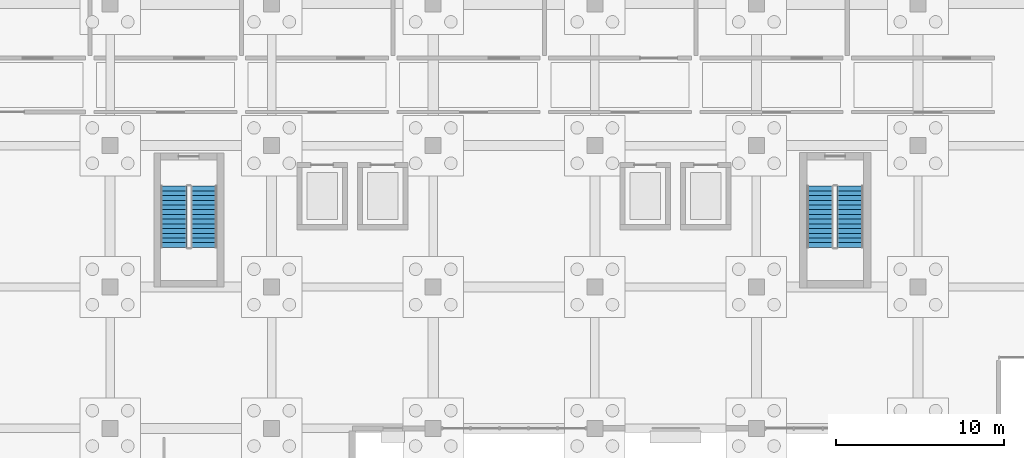
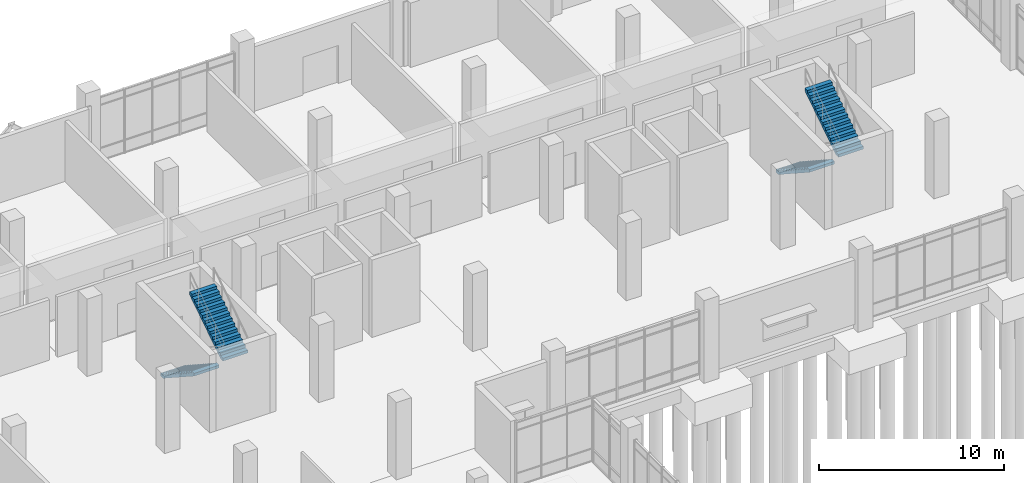
# One storey, part 121 of 136: 4 stair flights, 2 elements without a shape of their own.
"""IFC4 building model written with IfcOpenShell, lengths in metres."""

import ifcopenshell
import ifcopenshell.guid

model = None  # the IFC model being written
_history = None  # IfcOwnerHistory: only IFC2X3 demands one
_inside = {}  # id of a spatial element -> (the spatial element, [elements in it])
_under = {}  # id of a project, library or spatial element -> (it, [spatial elements below it])
_declared = {}  # id of a project -> (the project, [libraries it declares])
_typed = {}  # id of a type object -> (the type object, [elements of that type])
_made_of = {}  # id of a material, layer set ... -> (it, [elements and type objects made of it])


def new_model(schema):
    """Start an empty IFC model of exactly this schema.

    Asked for "IFC4X3", IfcOpenShell would pick the latest addendum, in which some entities
    have other attributes; the version numbers below select the first issue.
    IFC2X3 requires an IfcOwnerHistory on every rooted entity: one is made here for all.
    """
    global model, _history
    if schema == "IFC4X3":
        model = ifcopenshell.file(schema_version=(4, 3, 0, 0))
    else:
        model = ifcopenshell.file(schema=schema)
    _inside.clear()
    _under.clear()
    _declared.clear()
    _typed.clear()
    _made_of.clear()
    _history = None
    if model.schema == "IFC2X3":
        org = make("IfcOrganization", Name="unknown")
        user = make(
            "IfcPersonAndOrganization",
            ThePerson=make("IfcPerson", FamilyName="unknown"),
            TheOrganization=org,
        )
        app = make(
            "IfcApplication",
            ApplicationDeveloper=org,
            Version="unknown",
            ApplicationFullName="unknown",
            ApplicationIdentifier="unknown",
        )
        _history = make(
            "IfcOwnerHistory",
            OwningUser=user,
            OwningApplication=app,
            ChangeAction="ADDED",
            CreationDate=0,
        )
    return model


def make(cls, **values):
    """One entity of the class cls with the attributes given. An attribute that is None is left unset."""
    return model.create_entity(
        cls, **{name: value for name, value in values.items() if value is not None}
    )


def rooted(cls, **values):
    """An entity with a GlobalId (a new one), such as an element, a storey or a relation."""
    return make(cls, GlobalId=ifcopenshell.guid.new(), OwnerHistory=_history, **values)


def si_unit(unit_type, name, prefix=None):
    """IfcSIUnit, for example si_unit("LENGTHUNIT", "METRE", prefix="MILLI")."""
    return make("IfcSIUnit", UnitType=unit_type, Prefix=prefix, Name=name)


def assignment(units):
    """IfcUnitAssignment: the units of a project."""
    return None if units is None else make("IfcUnitAssignment", Units=units)


def point(xyz):
    """IfcCartesianPoint."""
    return None if xyz is None else make("IfcCartesianPoint", Coordinates=xyz)


def direction(xyz):
    """IfcDirection."""
    return None if xyz is None else make("IfcDirection", DirectionRatios=xyz)


def frame(location, z_axis=None, x_axis=None):
    """IfcAxis2Placement3D, a coordinate frame: its origin and axes. An axis left out is left unset."""
    return make(
        "IfcAxis2Placement3D",
        Location=point(location),
        Axis=direction(z_axis),
        RefDirection=direction(x_axis),
    )


def origin():
    """The frame at (0, 0, 0) with its axes left unset."""
    return frame((0.0, 0.0, 0.0))


def place(relative_to, where):
    """IfcLocalPlacement: puts the frame where relative to a parent placement (None: the world)."""
    return make(
        "IfcLocalPlacement", PlacementRelTo=relative_to, RelativePlacement=where
    )


def context(
    kind, dimensions, precision=None, world=None, true_north=None, identifier=None
):
    """IfcGeometricRepresentationContext, for example the 3D "Model" context."""
    return make(
        "IfcGeometricRepresentationContext",
        ContextIdentifier=identifier,
        ContextType=kind,
        CoordinateSpaceDimension=dimensions,
        Precision=precision,
        WorldCoordinateSystem=world,
        TrueNorth=true_north,
    )


def subcontext(parent, identifier, kind, view, scale=None):
    """IfcGeometricRepresentationSubContext, for example "Body" below "Model"."""
    return make(
        "IfcGeometricRepresentationSubContext",
        ContextIdentifier=identifier,
        ContextType=kind,
        ParentContext=parent,
        TargetScale=scale,
        TargetView=view,
    )


def project(units=None, contexts=None):
    """IfcProject with its units and contexts."""
    return rooted(
        "IfcProject",
        Name="project",
        RepresentationContexts=contexts,
        UnitsInContext=assignment(units),
    )


def spatial(cls, under=None, at=None, **own):
    """A site, building, storey or space (cls), placed at a placement, below another one or the project."""
    s = rooted(cls, ObjectPlacement=at, **own)
    if under is not None:
        _under.setdefault(under.id(), (under, []))[1].append(s)
    return s


def polyline(points):
    """IfcPolyline through the points."""
    return make("IfcPolyline", Points=[point(p) for p in points])


def outline(outer, holes=None, kind="AREA"):
    """IfcArbitraryClosedProfileDef: a profile drawn as a closed curve; with holes, ...WithVoids."""
    if holes is None:
        return make("IfcArbitraryClosedProfileDef", ProfileType=kind, OuterCurve=outer)
    return make(
        "IfcArbitraryProfileDefWithVoids",
        ProfileType=kind,
        OuterCurve=outer,
        InnerCurves=holes,
    )


def extrude(swept, where, along, depth):
    """IfcExtrudedAreaSolid: the profile swept, set in the frame where, extruded along a direction by depth."""
    return make(
        "IfcExtrudedAreaSolid",
        SweptArea=swept,
        Position=where,
        ExtrudedDirection=direction(along),
        Depth=depth,
    )


def shape(context_of_items, identifier, shape_type, items):
    """IfcShapeRepresentation: the items that make up one representation, for example the "Body"."""
    return make(
        "IfcShapeRepresentation",
        ContextOfItems=context_of_items,
        RepresentationIdentifier=identifier,
        RepresentationType=shape_type,
        Items=items,
    )


def material(Name=None, Category=None):
    """IfcMaterial."""
    return make("IfcMaterial", Name=Name, Category=Category)


def made_of(thing, what):
    """Note that an element or type object is made of a material, layer set ...; save() writes the relation."""
    if what is not None:
        _made_of.setdefault(what.id(), (what, []))[1].append(thing)
    return thing


def type_object(cls, material=None, **own):
    """A type object (cls), such as IfcWallType, which elements share."""
    return made_of(rooted(cls, **own), material)


def element(
    cls,
    number,
    at=None,
    inside=None,
    cuts=None,
    type_object=None,
    material=None,
    context=None,
    identifier="Body",
    shape_type=None,
    held_by="IfcProductDefinitionShape",
    body=None,
    shapes=None,
    **own,
):
    """One element of the class cls, such as IfcWall. Its Tag is "e" and its number.

    at: its placement. inside: the storey or other place that contains it. cuts: it is an
    opening in that element (IfcRelVoidsElement). A single representation is given by context,
    identifier, shape_type and body (its items); several are given by shapes. held_by: the class
    of the entity that holds the representations. save() writes the other relations.
    """
    e = rooted(cls, Tag="e%d" % number, ObjectPlacement=at, **own)
    if body is not None:
        shapes = [shape(context, identifier, shape_type, body)]
    if shapes is not None:
        e.Representation = make(held_by, Representations=shapes)
    if inside is not None:
        _inside.setdefault(inside.id(), (inside, []))[1].append(e)
    if cuts is not None:
        rooted(
            "IfcRelVoidsElement", RelatingBuildingElement=cuts, RelatedOpeningElement=e
        )
    if type_object is not None:
        _typed.setdefault(type_object.id(), (type_object, []))[1].append(e)
    return made_of(e, material)


def aggregate(whole, parts):
    """IfcRelAggregates: a whole, such as a stair, and the parts it consists of."""
    return rooted("IfcRelAggregates", RelatingObject=whole, RelatedObjects=parts)


def save(model, path):
    """Write the relations noted so far, then the file.

    IfcRelAggregates (storeys below a building ...), IfcRelContainedInSpatialStructure (elements
    in a storey), IfcRelDefinesByType, IfcRelAssociatesMaterial and IfcRelDeclares: one each for
    every whole, place, type object, material and project.
    """
    for whole, parts in _under.values():
        aggregate(whole, parts)
    for where, things in _inside.values():
        rooted(
            "IfcRelContainedInSpatialStructure",
            RelatedElements=things,
            RelatingStructure=where,
        )
    for kind, things in _typed.values():
        rooted("IfcRelDefinesByType", RelatedObjects=things, RelatingType=kind)
    for what, things in _made_of.values():
        rooted("IfcRelAssociatesMaterial", RelatedObjects=things, RelatingMaterial=what)
    for by, libraries in _declared.values():
        rooted("IfcRelDeclares", RelatingContext=by, RelatedDefinitions=libraries)
    model.write(path)


model = new_model("IFC4")

# Units and contexts
model_context = context("Model", 3, precision=1e-05, world=origin(), true_north=direction((0.0, 1.0)))
body_context = subcontext(model_context, "Body", "Model", "MODEL_VIEW")
ifc_project = project(units=[si_unit("LENGTHUNIT", "METRE"), si_unit("AREAUNIT", "SQUARE_METRE"), si_unit("VOLUMEUNIT", "CUBIC_METRE"), si_unit("PLANEANGLEUNIT", "RADIAN"), si_unit("MASSUNIT", "GRAM", prefix="KILO")], contexts=[model_context])

# Site, building, storey
site_placement = place(None, origin())
site = spatial("IfcSite", under=ifc_project, at=site_placement, CompositionType="ELEMENT")
building_placement = place(site_placement, origin())
building = spatial("IfcBuilding", under=site, at=building_placement, Name="Oolite Switchyard Hospital", CompositionType="ELEMENT")
storey_placement = place(building_placement, origin())
storey = spatial("IfcBuildingStorey", under=building, at=storey_placement, Name="L00", CompositionType="ELEMENT", Elevation=0.0)

# Stair, stair flights
ifc_material = material(Name="Concrete C40/50", Category="concrete")
stair_type = type_object("IfcStairType", Name="STR-DL-156-R28", PredefinedType="HALF_TURN_STAIR", material=ifc_material)
stair_1_placement = place(storey_placement, origin())
stair_1 = element("IfcStair", 1, at=stair_1_placement, inside=storey, type_object=stair_type, Name="L00 Exit Stair ST-03", PredefinedType="HALF_TURN_STAIR")
stair_flight_type = type_object("IfcStairFlightType", Name="FLT-DL-156-R14", PredefinedType="STRAIGHT", material=ifc_material)
stair_flight_1_placement = place(storey_placement, frame((157.3798828125, 115.18994140625, 0.0), z_axis=(0.0, 0.0, 1.0), x_axis=(0.0, -1.0, 0.0)))
stair_flight_1 = element("IfcStairFlight", 2, at=stair_flight_1_placement, type_object=stair_flight_type, Name="ST-03 flight 1", NumberOfRisers=14, NumberOfTreads=13, PredefinedType="STRAIGHT", RiserHeight=0.182142857, TreadLength=0.28, context=body_context, shape_type="SweptSolid", body=[
    extrude(outline(polyline([(0.0, 0.0), (0.0, 0.18212890625), (0.280029296875, 0.18212890625), (0.280029296875, 0.3642578125), (0.56005859375, 0.3642578125), (0.56005859375, 0.54638671875), (0.840087890625, 0.54638671875), (0.840087890625, 0.728515625), (1.1201171875, 0.728515625), (1.1201171875, 0.91064453125), (1.39990234375, 0.91064453125), (1.39990234375, 1.0927734375), (1.679931640625, 1.0927734375), (1.679931640625, 1.27490234375), (1.9599609375, 1.27490234375), (1.9599609375, 1.45703125), (2.239990234375, 1.45703125), (2.239990234375, 1.639404296875), (2.52001953125, 1.639404296875), (2.52001953125, 1.821533203125), (2.800048828125, 1.821533203125), (2.800048828125, 2.003662109375), (3.080078125, 2.003662109375), (3.080078125, 2.185791015625), (3.360107421875, 2.185791015625), (3.360107421875, 2.367919921875), (3.639892578125, 2.367919921875), (3.639892578125, 2.550048828125), (3.639892578125, 2.18896484375), (0.27490234375, 0.0), (0.0, 0.0)])), frame((0.0, 0.780029296875, 0.0), z_axis=(0.0, -1.0, 0.0), x_axis=(1.0, 0.0, 0.0)), (0.0, 0.0, 1.0), 1.56005859375),
])
stair_flight_2_placement = place(storey_placement, frame((159.179931640625, 111.550048828125, 2.550048828125), z_axis=(0.0, 0.0, 1.0), x_axis=(0.0, 1.0, 0.0)))
stair_flight_2 = element("IfcStairFlight", 3, at=stair_flight_2_placement, type_object=stair_flight_type, Name="ST-03 flight 2", NumberOfRisers=14, NumberOfTreads=13, PredefinedType="STRAIGHT", RiserHeight=0.182142857, TreadLength=0.28, context=body_context, shape_type="SweptSolid", body=[
    extrude(outline(polyline([(0.0, 0.0), (0.0, 0.18212890625), (0.280029296875, 0.18212890625), (0.280029296875, 0.3642578125), (0.56005859375, 0.3642578125), (0.56005859375, 0.54638671875), (0.840087890625, 0.54638671875), (0.840087890625, 0.728515625), (1.1201171875, 0.728515625), (1.1201171875, 0.91064453125), (1.39990234375, 0.91064453125), (1.39990234375, 1.0927734375), (1.679931640625, 1.0927734375), (1.679931640625, 1.27490234375), (1.9599609375, 1.27490234375), (1.9599609375, 1.45703125), (2.239990234375, 1.45703125), (2.239990234375, 1.639404296875), (2.52001953125, 1.639404296875), (2.52001953125, 1.821533203125), (2.800048828125, 1.821533203125), (2.800048828125, 2.003662109375), (3.080078125, 2.003662109375), (3.080078125, 2.185791015625), (3.360107421875, 2.185791015625), (3.360107421875, 2.367919921875), (3.639892578125, 2.367919921875), (3.639892578125, 2.550048828125), (3.639892578125, 2.18896484375), (0.27490234375, 0.0), (0.0, 0.0)])), frame((0.0, 0.780029296875, 0.0), z_axis=(0.0, -1.0, 0.0), x_axis=(1.0, 0.0, 0.0)), (0.0, 0.0, 1.0), 1.56005859375),
])
aggregate(stair_1, [stair_flight_1, stair_flight_2])

stair_2_placement = place(storey_placement, origin())
stair_2 = element("IfcStair", 4, at=stair_2_placement, inside=storey, type_object=stair_type, Name="L00 Exit Stair ST-04", PredefinedType="HALF_TURN_STAIR")
stair_flight_3_placement = place(storey_placement, frame((195.780029296875, 115.18994140625, 0.0), z_axis=(0.0, 0.0, 1.0), x_axis=(0.0, -1.0, 0.0)))
stair_flight_3 = element("IfcStairFlight", 5, at=stair_flight_3_placement, type_object=stair_flight_type, Name="ST-04 flight 1", NumberOfRisers=14, NumberOfTreads=13, PredefinedType="STRAIGHT", RiserHeight=0.182142857, TreadLength=0.28, context=body_context, shape_type="SweptSolid", body=[
    extrude(outline(polyline([(0.0, 0.0), (0.0, 0.18212890625), (0.280029296875, 0.18212890625), (0.280029296875, 0.3642578125), (0.56005859375, 0.3642578125), (0.56005859375, 0.54638671875), (0.840087890625, 0.54638671875), (0.840087890625, 0.728515625), (1.1201171875, 0.728515625), (1.1201171875, 0.91064453125), (1.39990234375, 0.91064453125), (1.39990234375, 1.0927734375), (1.679931640625, 1.0927734375), (1.679931640625, 1.27490234375), (1.9599609375, 1.27490234375), (1.9599609375, 1.45703125), (2.239990234375, 1.45703125), (2.239990234375, 1.639404296875), (2.52001953125, 1.639404296875), (2.52001953125, 1.821533203125), (2.800048828125, 1.821533203125), (2.800048828125, 2.003662109375), (3.080078125, 2.003662109375), (3.080078125, 2.185791015625), (3.360107421875, 2.185791015625), (3.360107421875, 2.367919921875), (3.639892578125, 2.367919921875), (3.639892578125, 2.550048828125), (3.639892578125, 2.18896484375), (0.27490234375, 0.0), (0.0, 0.0)])), frame((0.0, 0.780029296875, 0.0), z_axis=(0.0, -1.0, 0.0), x_axis=(1.0, 0.0, 0.0)), (0.0, 0.0, 1.0), 1.56005859375),
])
stair_flight_4_placement = place(storey_placement, frame((197.580078125, 111.550048828125, 2.550048828125), z_axis=(0.0, 0.0, 1.0), x_axis=(0.0, 1.0, 0.0)))
stair_flight_4 = element("IfcStairFlight", 6, at=stair_flight_4_placement, type_object=stair_flight_type, Name="ST-04 flight 2", NumberOfRisers=14, NumberOfTreads=13, PredefinedType="STRAIGHT", RiserHeight=0.182142857, TreadLength=0.28, context=body_context, shape_type="SweptSolid", body=[
    extrude(outline(polyline([(0.0, 0.0), (0.0, 0.18212890625), (0.280029296875, 0.18212890625), (0.280029296875, 0.3642578125), (0.56005859375, 0.3642578125), (0.56005859375, 0.54638671875), (0.840087890625, 0.54638671875), (0.840087890625, 0.728515625), (1.1201171875, 0.728515625), (1.1201171875, 0.91064453125), (1.39990234375, 0.91064453125), (1.39990234375, 1.0927734375), (1.679931640625, 1.0927734375), (1.679931640625, 1.27490234375), (1.9599609375, 1.27490234375), (1.9599609375, 1.45703125), (2.239990234375, 1.45703125), (2.239990234375, 1.639404296875), (2.52001953125, 1.639404296875), (2.52001953125, 1.821533203125), (2.800048828125, 1.821533203125), (2.800048828125, 2.003662109375), (3.080078125, 2.003662109375), (3.080078125, 2.185791015625), (3.360107421875, 2.185791015625), (3.360107421875, 2.367919921875), (3.639892578125, 2.367919921875), (3.639892578125, 2.550048828125), (3.639892578125, 2.18896484375), (0.27490234375, 0.0), (0.0, 0.0)])), frame((0.0, 0.780029296875, 0.0), z_axis=(0.0, -1.0, 0.0), x_axis=(1.0, 0.0, 0.0)), (0.0, 0.0, 1.0), 1.56005859375),
])
aggregate(stair_2, [stair_flight_3, stair_flight_4])

save(model, "model.ifc")
